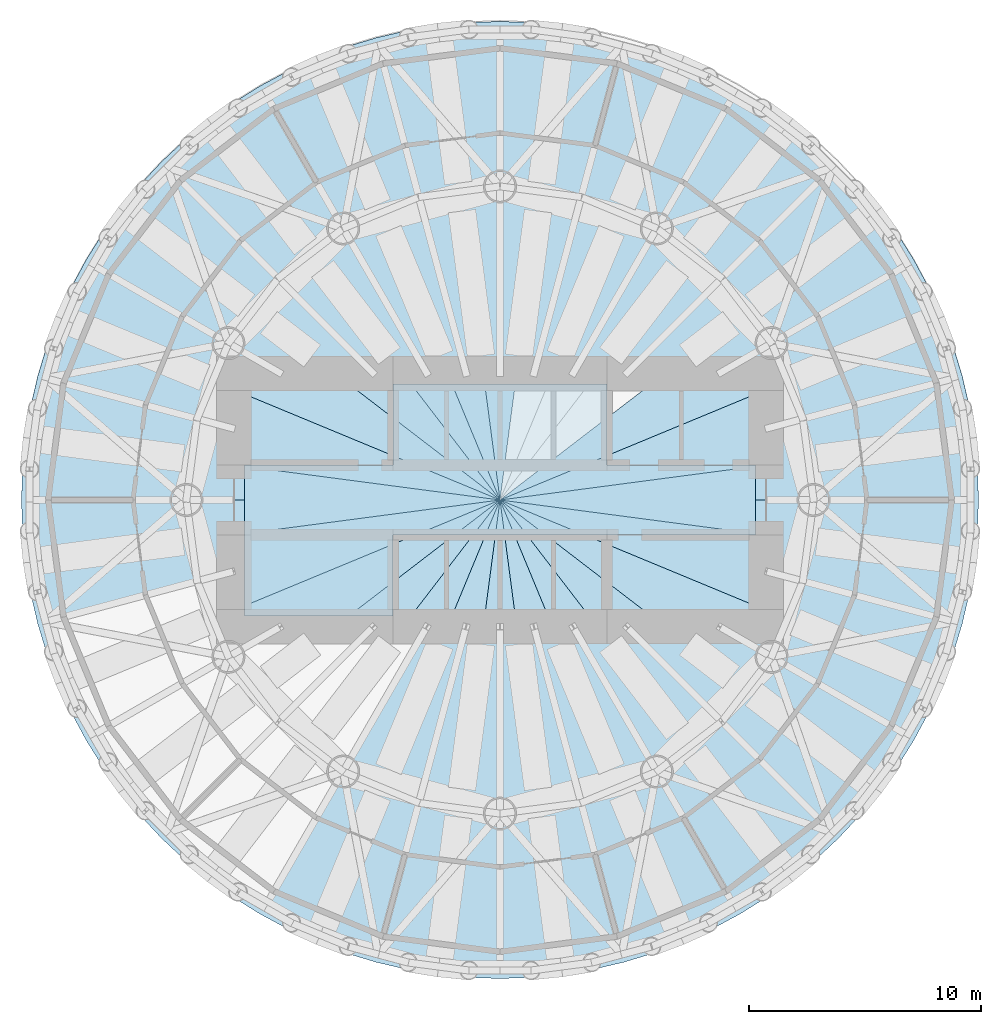
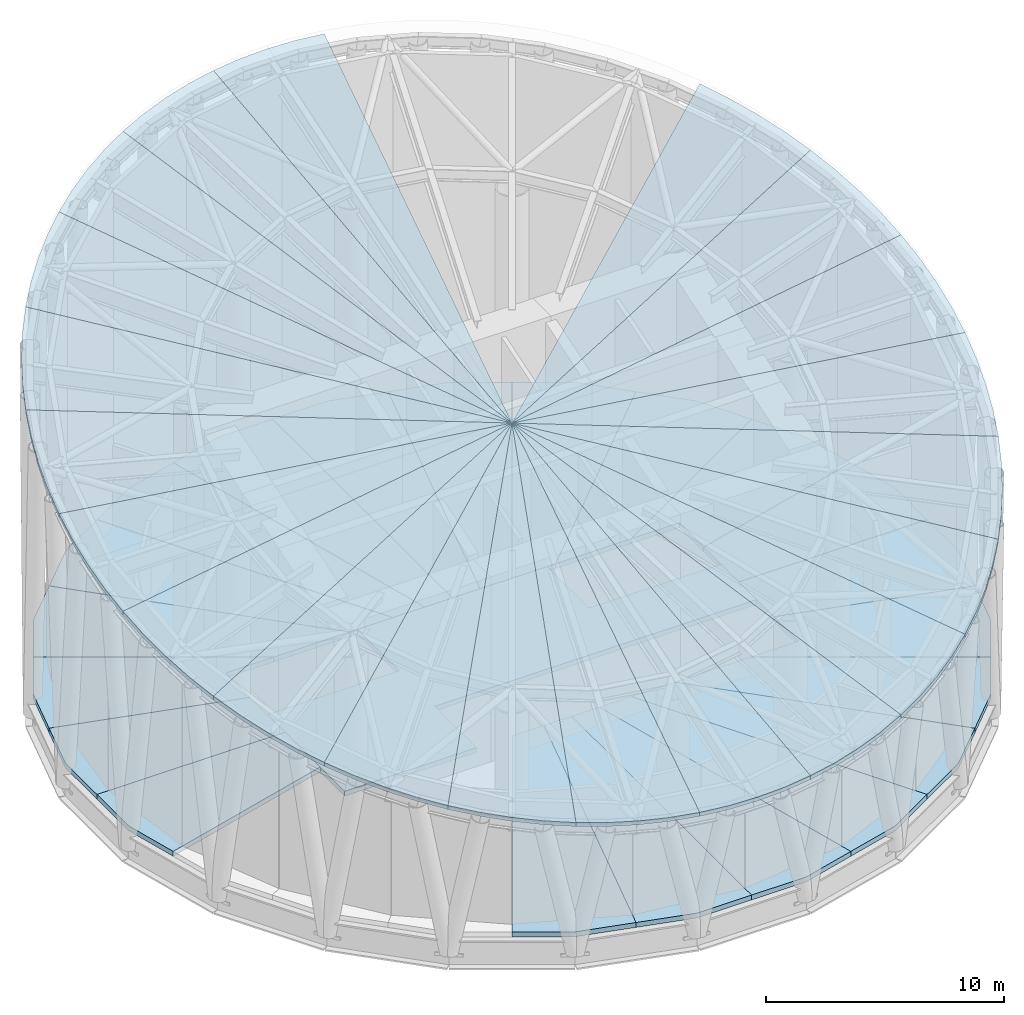
# One storey, part 6 of 9: 43 slabs.
"""IFC4 building model written with IfcOpenShell, lengths in metres."""

from ifc_helpers import new_model, si_unit, direction, frame, origin, place, context, subcontext, project, spatial, polyline, outline, extrude, faceted_brep, material, layer, layer_set, type_object, element, save


model = new_model("IFC4")

# Units and contexts
model_context = context("Model", 3, precision=1e-05, world=origin(), true_north=direction((0.0, 1.0)))
body_context = subcontext(model_context, "Body", "Model", "MODEL_VIEW")
ifc_project = project(units=[si_unit("LENGTHUNIT", "METRE"), si_unit("AREAUNIT", "SQUARE_METRE"), si_unit("VOLUMEUNIT", "CUBIC_METRE"), si_unit("PLANEANGLEUNIT", "RADIAN"), si_unit("MASSUNIT", "GRAM", prefix="KILO")], contexts=[model_context])

# Site, building, storey
site_placement = place(None, origin())
site = spatial("IfcSite", under=ifc_project, at=site_placement, CompositionType="ELEMENT")
building_placement = place(site_placement, origin())
building = spatial("IfcBuilding", under=site, at=building_placement, Name="Qaws Media Tower", CompositionType="ELEMENT")
storey_placement = place(building_placement, frame((0.0, 0.0, 286.39990234375)))
storey = spatial("IfcBuildingStorey", under=building, at=storey_placement, Name="L66", CompositionType="ELEMENT", Elevation=286.39990234375)

# Slabs
ifc_material_1 = material(Name="Concrete C35/45", Category="concrete")
ifc_layer_1 = layer(ifc_material_1, 0.199951171875)
ifc_layer_set_1 = layer_set([ifc_layer_1], Name="Crown roof slab 200")
slab_type_1 = type_object("IfcSlabType", Name="Crown roof slab 200", PredefinedType="ROOF", material=ifc_layer_set_1)
slab_1_placement = place(storey_placement, origin())
element("IfcSlab", 1, at=slab_1_placement, inside=storey, type_object=slab_type_1, Name="S6 crown roof panel on R01", PredefinedType="ROOF", context=body_context, shape_type="Brep", body=[
    faceted_brep([(60.0, 50.0, 11.995849609375), (80.423828125, 47.311279296875, 11.122314453125), (80.555908203125, 48.652587890625, 11.55810546875), (80.60009765625, 50.0, 11.995849609375), (80.555908203125, 51.347412109375, 12.433837890625), (80.423828125, 52.688720703125, 12.86962890625), (80.423828125, 52.688720703125, 12.669677734375), (80.555908203125, 51.347412109375, 12.23388671875), (80.60009765625, 50.0, 11.7958984375), (80.555908203125, 48.652587890625, 11.358154296875), (80.423828125, 47.311279296875, 10.92236328125), (60.0, 50.0, 11.7958984375)], [[[0, 1, 2, 3, 4, 5]], [[6, 7, 8, 9, 10, 11]], [[11, 10, 1, 0]], [[10, 9, 2, 1]], [[9, 8, 3, 2]], [[8, 7, 4, 3]], [[7, 6, 5, 4]], [[6, 11, 0, 5]]]),
])
slab_2_placement = place(storey_placement, origin())
element("IfcSlab", 2, at=slab_2_placement, inside=storey, type_object=slab_type_1, Name="S6 crown roof panel on R02", PredefinedType="ROOF", context=body_context, shape_type="Brep", body=[
    faceted_brep([(60.0, 50.0, 11.995849609375), (80.423828125, 52.688720703125, 12.86962890625), (80.2041015625, 54.018798828125, 13.3017578125), (79.898193359375, 55.331787109375, 13.728271484375), (79.5068359375, 56.62158203125, 14.1474609375), (79.031982421875, 57.88330078125, 14.557373046875), (79.031982421875, 57.88330078125, 14.357421875), (79.5068359375, 56.62158203125, 13.947509765625), (79.898193359375, 55.331787109375, 13.5283203125), (80.2041015625, 54.018798828125, 13.101806640625), (80.423828125, 52.688720703125, 12.669677734375), (60.0, 50.0, 11.7958984375)], [[[0, 1, 2, 3, 4, 5]], [[6, 7, 8, 9, 10, 11]], [[11, 10, 1, 0]], [[10, 9, 2, 1]], [[9, 8, 3, 2]], [[8, 7, 4, 3]], [[7, 6, 5, 4]], [[6, 11, 0, 5]]]),
])
slab_3_placement = place(storey_placement, origin())
element("IfcSlab", 3, at=slab_3_placement, inside=storey, type_object=slab_type_1, Name="S6 crown roof panel on R03", PredefinedType="ROOF", context=body_context, shape_type="Brep", body=[
    faceted_brep([(60.0, 50.0, 11.995849609375), (79.031982421875, 57.88330078125, 14.557373046875), (78.4755859375, 59.111083984375, 14.956298828125), (77.840087890625, 60.300048828125, 15.342529296875), (77.128173828125, 61.44482421875, 15.714599609375), (76.343017578125, 62.54052734375, 16.070556640625), (76.343017578125, 62.54052734375, 15.87060546875), (77.128173828125, 61.44482421875, 15.5146484375), (77.840087890625, 60.300048828125, 15.142578125), (78.4755859375, 59.111083984375, 14.75634765625), (79.031982421875, 57.88330078125, 14.357421875), (60.0, 50.0, 11.7958984375)], [[[0, 1, 2, 3, 4, 5]], [[6, 7, 8, 9, 10, 11]], [[11, 10, 1, 0]], [[10, 9, 2, 1]], [[9, 8, 3, 2]], [[8, 7, 4, 3]], [[7, 6, 5, 4]], [[6, 11, 0, 5]]]),
])
slab_4_placement = place(storey_placement, origin())
element("IfcSlab", 4, at=slab_4_placement, inside=storey, type_object=slab_type_1, Name="S6 crown roof panel on R07", PredefinedType="ROOF", context=body_context, shape_type="Brep", body=[
    faceted_brep([(60.0, 50.0, 11.995849609375), (62.688720703125, 70.423828125, 18.632080078125), (61.347412109375, 70.555908203125, 18.675048828125), (60.0, 70.60009765625, 18.689208984375), (58.652587890625, 70.555908203125, 18.675048828125), (57.311279296875, 70.423828125, 18.632080078125), (57.311279296875, 70.423828125, 18.43212890625), (58.652587890625, 70.555908203125, 18.47509765625), (60.0, 70.60009765625, 18.4892578125), (61.347412109375, 70.555908203125, 18.47509765625), (62.688720703125, 70.423828125, 18.43212890625), (60.0, 50.0, 11.7958984375)], [[[0, 1, 2, 3, 4, 5]], [[6, 7, 8, 9, 10, 11]], [[11, 10, 1, 0]], [[10, 9, 2, 1]], [[9, 8, 3, 2]], [[8, 7, 4, 3]], [[7, 6, 5, 4]], [[6, 11, 0, 5]]]),
])
slab_5_placement = place(storey_placement, origin())
element("IfcSlab", 5, at=slab_5_placement, inside=storey, type_object=slab_type_1, Name="S6 crown roof panel on R08", PredefinedType="ROOF", context=body_context, shape_type="Brep", body=[
    faceted_brep([(60.0, 50.0, 11.995849609375), (57.311279296875, 70.423828125, 18.632080078125), (55.981201171875, 70.2041015625, 18.560791015625), (54.668212890625, 69.898193359375, 18.461181640625), (53.37841796875, 69.5068359375, 18.333984375), (52.11669921875, 69.031982421875, 18.179931640625), (52.11669921875, 69.031982421875, 17.97998046875), (53.37841796875, 69.5068359375, 18.134033203125), (54.668212890625, 69.898193359375, 18.26123046875), (55.981201171875, 70.2041015625, 18.36083984375), (57.311279296875, 70.423828125, 18.43212890625), (60.0, 50.0, 11.7958984375)], [[[0, 1, 2, 3, 4, 5]], [[6, 7, 8, 9, 10, 11]], [[11, 10, 1, 0]], [[10, 9, 2, 1]], [[9, 8, 3, 2]], [[8, 7, 4, 3]], [[7, 6, 5, 4]], [[6, 11, 0, 5]]]),
])
slab_6_placement = place(storey_placement, origin())
element("IfcSlab", 6, at=slab_6_placement, inside=storey, type_object=slab_type_1, Name="S6 crown roof panel on R09", PredefinedType="ROOF", context=body_context, shape_type="Brep", body=[
    faceted_brep([(60.0, 50.0, 11.995849609375), (52.11669921875, 69.031982421875, 18.179931640625), (50.888916015625, 68.4755859375, 17.9990234375), (49.699951171875, 67.840087890625, 17.79248046875), (48.55517578125, 67.128173828125, 17.561279296875), (47.45947265625, 66.343017578125, 17.30615234375), (47.45947265625, 66.343017578125, 17.106201171875), (48.55517578125, 67.128173828125, 17.361328125), (49.699951171875, 67.840087890625, 17.592529296875), (50.888916015625, 68.4755859375, 17.799072265625), (52.11669921875, 69.031982421875, 17.97998046875), (60.0, 50.0, 11.7958984375)], [[[0, 1, 2, 3, 4, 5]], [[6, 7, 8, 9, 10, 11]], [[11, 10, 1, 0]], [[10, 9, 2, 1]], [[9, 8, 3, 2]], [[8, 7, 4, 3]], [[7, 6, 5, 4]], [[6, 11, 0, 5]]]),
])
slab_7_placement = place(storey_placement, origin())
element("IfcSlab", 7, at=slab_7_placement, inside=storey, type_object=slab_type_1, Name="S6 crown roof panel on R10", PredefinedType="ROOF", context=body_context, shape_type="Brep", body=[
    faceted_brep([(60.0, 50.0, 11.995849609375), (47.45947265625, 66.343017578125, 17.30615234375), (46.41748046875, 65.48779296875, 17.0283203125), (45.43359375, 64.56640625, 16.728759765625), (44.51220703125, 63.58251953125, 16.4091796875), (43.656982421875, 62.54052734375, 16.070556640625), (43.656982421875, 62.54052734375, 15.87060546875), (44.51220703125, 63.58251953125, 16.209228515625), (45.43359375, 64.56640625, 16.52880859375), (46.41748046875, 65.48779296875, 16.828369140625), (47.45947265625, 66.343017578125, 17.106201171875), (60.0, 50.0, 11.7958984375)], [[[0, 1, 2, 3, 4, 5]], [[6, 7, 8, 9, 10, 11]], [[11, 10, 1, 0]], [[10, 9, 2, 1]], [[9, 8, 3, 2]], [[8, 7, 4, 3]], [[7, 6, 5, 4]], [[6, 11, 0, 5]]]),
])
slab_8_placement = place(storey_placement, origin())
element("IfcSlab", 8, at=slab_8_placement, inside=storey, type_object=slab_type_1, Name="S6 crown roof panel on R11", PredefinedType="ROOF", context=body_context, shape_type="Brep", body=[
    faceted_brep([(60.0, 50.0, 11.995849609375), (43.656982421875, 62.54052734375, 16.070556640625), (42.871826171875, 61.44482421875, 15.714599609375), (42.159912109375, 60.300048828125, 15.342529296875), (41.5244140625, 59.111083984375, 14.956298828125), (40.968017578125, 57.88330078125, 14.557373046875), (40.968017578125, 57.88330078125, 14.357421875), (41.5244140625, 59.111083984375, 14.75634765625), (42.159912109375, 60.300048828125, 15.142578125), (42.871826171875, 61.44482421875, 15.5146484375), (43.656982421875, 62.54052734375, 15.87060546875), (60.0, 50.0, 11.7958984375)], [[[0, 1, 2, 3, 4, 5]], [[6, 7, 8, 9, 10, 11]], [[11, 10, 1, 0]], [[10, 9, 2, 1]], [[9, 8, 3, 2]], [[8, 7, 4, 3]], [[7, 6, 5, 4]], [[6, 11, 0, 5]]]),
])
slab_9_placement = place(storey_placement, origin())
element("IfcSlab", 9, at=slab_9_placement, inside=storey, type_object=slab_type_1, Name="S6 crown roof panel on R12", PredefinedType="ROOF", context=body_context, shape_type="Brep", body=[
    faceted_brep([(60.0, 50.0, 11.995849609375), (40.968017578125, 57.88330078125, 14.557373046875), (40.4931640625, 56.62158203125, 14.1474609375), (40.101806640625, 55.331787109375, 13.728271484375), (39.7958984375, 54.018798828125, 13.3017578125), (39.576171875, 52.688720703125, 12.86962890625), (39.576171875, 52.688720703125, 12.669677734375), (39.7958984375, 54.018798828125, 13.101806640625), (40.101806640625, 55.331787109375, 13.5283203125), (40.4931640625, 56.62158203125, 13.947509765625), (40.968017578125, 57.88330078125, 14.357421875), (60.0, 50.0, 11.7958984375)], [[[0, 1, 2, 3, 4, 5]], [[6, 7, 8, 9, 10, 11]], [[11, 10, 1, 0]], [[10, 9, 2, 1]], [[9, 8, 3, 2]], [[8, 7, 4, 3]], [[7, 6, 5, 4]], [[6, 11, 0, 5]]]),
])
slab_10_placement = place(storey_placement, origin())
element("IfcSlab", 10, at=slab_10_placement, inside=storey, type_object=slab_type_1, Name="S6 crown roof panel on R13", PredefinedType="ROOF", context=body_context, shape_type="Brep", body=[
    faceted_brep([(60.0, 50.0, 11.995849609375), (39.576171875, 52.688720703125, 12.86962890625), (39.444091796875, 51.347412109375, 12.433837890625), (39.39990234375, 50.0, 11.995849609375), (39.444091796875, 48.652587890625, 11.55810546875), (39.576171875, 47.311279296875, 11.122314453125), (39.576171875, 47.311279296875, 10.92236328125), (39.444091796875, 48.652587890625, 11.358154296875), (39.39990234375, 50.0, 11.7958984375), (39.444091796875, 51.347412109375, 12.23388671875), (39.576171875, 52.688720703125, 12.669677734375), (60.0, 50.0, 11.7958984375)], [[[0, 1, 2, 3, 4, 5]], [[6, 7, 8, 9, 10, 11]], [[11, 10, 1, 0]], [[10, 9, 2, 1]], [[9, 8, 3, 2]], [[8, 7, 4, 3]], [[7, 6, 5, 4]], [[6, 11, 0, 5]]]),
])
slab_11_placement = place(storey_placement, origin())
element("IfcSlab", 11, at=slab_11_placement, inside=storey, type_object=slab_type_1, Name="S6 crown roof panel on R14", PredefinedType="ROOF", context=body_context, shape_type="Brep", body=[
    faceted_brep([(60.0, 50.0, 11.995849609375), (39.576171875, 47.311279296875, 11.122314453125), (39.7958984375, 45.981201171875, 10.690185546875), (40.101806640625, 44.668212890625, 10.263671875), (40.4931640625, 43.37841796875, 9.844482421875), (40.968017578125, 42.11669921875, 9.4345703125), (40.968017578125, 42.11669921875, 9.234619140625), (40.4931640625, 43.37841796875, 9.64453125), (40.101806640625, 44.668212890625, 10.063720703125), (39.7958984375, 45.981201171875, 10.490234375), (39.576171875, 47.311279296875, 10.92236328125), (60.0, 50.0, 11.7958984375)], [[[0, 1, 2, 3, 4, 5]], [[6, 7, 8, 9, 10, 11]], [[11, 10, 1, 0]], [[10, 9, 2, 1]], [[9, 8, 3, 2]], [[8, 7, 4, 3]], [[7, 6, 5, 4]], [[6, 11, 0, 5]]]),
])
slab_12_placement = place(storey_placement, origin())
element("IfcSlab", 12, at=slab_12_placement, inside=storey, type_object=slab_type_1, Name="S6 crown roof panel on R15", PredefinedType="ROOF", context=body_context, shape_type="Brep", body=[
    faceted_brep([(60.0, 50.0, 11.995849609375), (40.968017578125, 42.11669921875, 9.4345703125), (41.5244140625, 40.888916015625, 9.03564453125), (42.159912109375, 39.699951171875, 8.6494140625), (42.871826171875, 38.55517578125, 8.27734375), (43.656982421875, 37.45947265625, 7.92138671875), (43.656982421875, 37.45947265625, 7.721435546875), (42.871826171875, 38.55517578125, 8.077392578125), (42.159912109375, 39.699951171875, 8.449462890625), (41.5244140625, 40.888916015625, 8.835693359375), (40.968017578125, 42.11669921875, 9.234619140625), (60.0, 50.0, 11.7958984375)], [[[0, 1, 2, 3, 4, 5]], [[6, 7, 8, 9, 10, 11]], [[11, 10, 1, 0]], [[10, 9, 2, 1]], [[9, 8, 3, 2]], [[8, 7, 4, 3]], [[7, 6, 5, 4]], [[6, 11, 0, 5]]]),
])
slab_13_placement = place(storey_placement, origin())
element("IfcSlab", 13, at=slab_13_placement, inside=storey, type_object=slab_type_1, Name="S6 crown roof panel on R16", PredefinedType="ROOF", context=body_context, shape_type="Brep", body=[
    faceted_brep([(60.0, 50.0, 11.995849609375), (43.656982421875, 37.45947265625, 7.92138671875), (44.51220703125, 36.41748046875, 7.582763671875), (45.43359375, 35.43359375, 7.262939453125), (46.41748046875, 34.51220703125, 6.963623046875), (47.45947265625, 33.656982421875, 6.685791015625), (47.45947265625, 33.656982421875, 6.48583984375), (46.41748046875, 34.51220703125, 6.763671875), (45.43359375, 35.43359375, 7.06298828125), (44.51220703125, 36.41748046875, 7.3828125), (43.656982421875, 37.45947265625, 7.721435546875), (60.0, 50.0, 11.7958984375)], [[[0, 1, 2, 3, 4, 5]], [[6, 7, 8, 9, 10, 11]], [[11, 10, 1, 0]], [[10, 9, 2, 1]], [[9, 8, 3, 2]], [[8, 7, 4, 3]], [[7, 6, 5, 4]], [[6, 11, 0, 5]]]),
])
slab_14_placement = place(storey_placement, origin())
element("IfcSlab", 14, at=slab_14_placement, inside=storey, type_object=slab_type_1, Name="S6 crown roof panel on R17", PredefinedType="ROOF", context=body_context, shape_type="Brep", body=[
    faceted_brep([(60.0, 50.0, 11.995849609375), (47.45947265625, 33.656982421875, 6.685791015625), (48.55517578125, 32.871826171875, 6.4306640625), (49.699951171875, 32.159912109375, 6.199462890625), (50.888916015625, 31.5244140625, 5.992919921875), (52.11669921875, 30.968017578125, 5.81201171875), (52.11669921875, 30.968017578125, 5.612060546875), (50.888916015625, 31.5244140625, 5.79296875), (49.699951171875, 32.159912109375, 5.99951171875), (48.55517578125, 32.871826171875, 6.230712890625), (47.45947265625, 33.656982421875, 6.48583984375), (60.0, 50.0, 11.7958984375)], [[[0, 1, 2, 3, 4, 5]], [[6, 7, 8, 9, 10, 11]], [[11, 10, 1, 0]], [[10, 9, 2, 1]], [[9, 8, 3, 2]], [[8, 7, 4, 3]], [[7, 6, 5, 4]], [[6, 11, 0, 5]]]),
])
slab_15_placement = place(storey_placement, origin())
element("IfcSlab", 15, at=slab_15_placement, inside=storey, type_object=slab_type_1, Name="S6 crown roof panel on R18", PredefinedType="ROOF", context=body_context, shape_type="Brep", body=[
    faceted_brep([(60.0, 50.0, 11.995849609375), (52.11669921875, 30.968017578125, 5.81201171875), (53.37841796875, 30.4931640625, 5.65771484375), (54.668212890625, 30.101806640625, 5.53076171875), (55.981201171875, 29.7958984375, 5.43115234375), (57.311279296875, 29.576171875, 5.35986328125), (57.311279296875, 29.576171875, 5.159912109375), (55.981201171875, 29.7958984375, 5.231201171875), (54.668212890625, 30.101806640625, 5.330810546875), (53.37841796875, 30.4931640625, 5.457763671875), (52.11669921875, 30.968017578125, 5.612060546875), (60.0, 50.0, 11.7958984375)], [[[0, 1, 2, 3, 4, 5]], [[6, 7, 8, 9, 10, 11]], [[11, 10, 1, 0]], [[10, 9, 2, 1]], [[9, 8, 3, 2]], [[8, 7, 4, 3]], [[7, 6, 5, 4]], [[6, 11, 0, 5]]]),
])
slab_16_placement = place(storey_placement, origin())
element("IfcSlab", 16, at=slab_16_placement, inside=storey, type_object=slab_type_1, Name="S6 crown roof panel on R19", PredefinedType="ROOF", context=body_context, shape_type="Brep", body=[
    faceted_brep([(60.0, 50.0, 11.995849609375), (57.311279296875, 29.576171875, 5.35986328125), (58.652587890625, 29.444091796875, 5.31689453125), (60.0, 29.39990234375, 5.302734375), (61.347412109375, 29.444091796875, 5.31689453125), (62.688720703125, 29.576171875, 5.35986328125), (62.688720703125, 29.576171875, 5.159912109375), (61.347412109375, 29.444091796875, 5.116943359375), (60.0, 29.39990234375, 5.102783203125), (58.652587890625, 29.444091796875, 5.116943359375), (57.311279296875, 29.576171875, 5.159912109375), (60.0, 50.0, 11.7958984375)], [[[0, 1, 2, 3, 4, 5]], [[6, 7, 8, 9, 10, 11]], [[11, 10, 1, 0]], [[10, 9, 2, 1]], [[9, 8, 3, 2]], [[8, 7, 4, 3]], [[7, 6, 5, 4]], [[6, 11, 0, 5]]]),
])
slab_17_placement = place(storey_placement, origin())
element("IfcSlab", 17, at=slab_17_placement, inside=storey, type_object=slab_type_1, Name="S6 crown roof panel on R20", PredefinedType="ROOF", context=body_context, shape_type="Brep", body=[
    faceted_brep([(60.0, 50.0, 11.995849609375), (62.688720703125, 29.576171875, 5.35986328125), (64.018798828125, 29.7958984375, 5.43115234375), (65.331787109375, 30.101806640625, 5.53076171875), (66.62158203125, 30.4931640625, 5.65771484375), (67.88330078125, 30.968017578125, 5.81201171875), (67.88330078125, 30.968017578125, 5.612060546875), (66.62158203125, 30.4931640625, 5.457763671875), (65.331787109375, 30.101806640625, 5.330810546875), (64.018798828125, 29.7958984375, 5.231201171875), (62.688720703125, 29.576171875, 5.159912109375), (60.0, 50.0, 11.7958984375)], [[[0, 1, 2, 3, 4, 5]], [[6, 7, 8, 9, 10, 11]], [[11, 10, 1, 0]], [[10, 9, 2, 1]], [[9, 8, 3, 2]], [[8, 7, 4, 3]], [[7, 6, 5, 4]], [[6, 11, 0, 5]]]),
])
slab_18_placement = place(storey_placement, origin())
element("IfcSlab", 18, at=slab_18_placement, inside=storey, type_object=slab_type_1, Name="S6 crown roof panel on R21", PredefinedType="ROOF", context=body_context, shape_type="Brep", body=[
    faceted_brep([(60.0, 50.0, 11.995849609375), (67.88330078125, 30.968017578125, 5.81201171875), (69.111083984375, 31.5244140625, 5.992919921875), (70.300048828125, 32.159912109375, 6.199462890625), (71.44482421875, 32.871826171875, 6.4306640625), (72.54052734375, 33.656982421875, 6.685791015625), (72.54052734375, 33.656982421875, 6.48583984375), (71.44482421875, 32.871826171875, 6.230712890625), (70.300048828125, 32.159912109375, 5.99951171875), (69.111083984375, 31.5244140625, 5.79296875), (67.88330078125, 30.968017578125, 5.612060546875), (60.0, 50.0, 11.7958984375)], [[[0, 1, 2, 3, 4, 5]], [[6, 7, 8, 9, 10, 11]], [[11, 10, 1, 0]], [[10, 9, 2, 1]], [[9, 8, 3, 2]], [[8, 7, 4, 3]], [[7, 6, 5, 4]], [[6, 11, 0, 5]]]),
])
slab_19_placement = place(storey_placement, origin())
element("IfcSlab", 19, at=slab_19_placement, inside=storey, type_object=slab_type_1, Name="S6 crown roof panel on R22", PredefinedType="ROOF", context=body_context, shape_type="Brep", body=[
    faceted_brep([(60.0, 50.0, 11.995849609375), (72.54052734375, 33.656982421875, 6.685791015625), (73.58251953125, 34.51220703125, 6.963623046875), (74.56640625, 35.43359375, 7.262939453125), (75.48779296875, 36.41748046875, 7.582763671875), (76.343017578125, 37.45947265625, 7.92138671875), (76.343017578125, 37.45947265625, 7.721435546875), (75.48779296875, 36.41748046875, 7.3828125), (74.56640625, 35.43359375, 7.06298828125), (73.58251953125, 34.51220703125, 6.763671875), (72.54052734375, 33.656982421875, 6.48583984375), (60.0, 50.0, 11.7958984375)], [[[0, 1, 2, 3, 4, 5]], [[6, 7, 8, 9, 10, 11]], [[11, 10, 1, 0]], [[10, 9, 2, 1]], [[9, 8, 3, 2]], [[8, 7, 4, 3]], [[7, 6, 5, 4]], [[6, 11, 0, 5]]]),
])
slab_20_placement = place(storey_placement, origin())
element("IfcSlab", 20, at=slab_20_placement, inside=storey, type_object=slab_type_1, Name="S6 crown roof panel on R23", PredefinedType="ROOF", context=body_context, shape_type="Brep", body=[
    faceted_brep([(60.0, 50.0, 11.995849609375), (76.343017578125, 37.45947265625, 7.92138671875), (77.128173828125, 38.55517578125, 8.27734375), (77.840087890625, 39.699951171875, 8.6494140625), (78.4755859375, 40.888916015625, 9.03564453125), (79.031982421875, 42.11669921875, 9.4345703125), (79.031982421875, 42.11669921875, 9.234619140625), (78.4755859375, 40.888916015625, 8.835693359375), (77.840087890625, 39.699951171875, 8.449462890625), (77.128173828125, 38.55517578125, 8.077392578125), (76.343017578125, 37.45947265625, 7.721435546875), (60.0, 50.0, 11.7958984375)], [[[0, 1, 2, 3, 4, 5]], [[6, 7, 8, 9, 10, 11]], [[11, 10, 1, 0]], [[10, 9, 2, 1]], [[9, 8, 3, 2]], [[8, 7, 4, 3]], [[7, 6, 5, 4]], [[6, 11, 0, 5]]]),
])
slab_21_placement = place(storey_placement, origin())
element("IfcSlab", 21, at=slab_21_placement, inside=storey, type_object=slab_type_1, Name="S6 crown roof panel on R24", PredefinedType="ROOF", context=body_context, shape_type="Brep", body=[
    faceted_brep([(60.0, 50.0, 11.995849609375), (79.031982421875, 42.11669921875, 9.4345703125), (79.5068359375, 43.37841796875, 9.844482421875), (79.898193359375, 44.668212890625, 10.263671875), (80.2041015625, 45.981201171875, 10.690185546875), (80.423828125, 47.311279296875, 11.122314453125), (80.423828125, 47.311279296875, 10.92236328125), (80.2041015625, 45.981201171875, 10.490234375), (79.898193359375, 44.668212890625, 10.063720703125), (79.5068359375, 43.37841796875, 9.64453125), (79.031982421875, 42.11669921875, 9.234619140625), (60.0, 50.0, 11.7958984375)], [[[0, 1, 2, 3, 4, 5]], [[6, 7, 8, 9, 10, 11]], [[11, 10, 1, 0]], [[10, 9, 2, 1]], [[9, 8, 3, 2]], [[8, 7, 4, 3]], [[7, 6, 5, 4]], [[6, 11, 0, 5]]]),
])
ifc_material_2 = material(Name="Concrete C40/50", Category="concrete")
ifc_layer_2 = layer(ifc_material_2, 0.25)
ifc_layer_set_2 = layer_set([ifc_layer_2], Name="Plant floor slab 250")
slab_type_2 = type_object("IfcSlabType", Name="Plant floor slab 250", PredefinedType="FLOOR", material=ifc_layer_set_2)
slab_22_placement = place(storey_placement, frame((0.0, 0.0, -0.25)))
element("IfcSlab", 22, at=slab_22_placement, inside=storey, type_object=slab_type_2, Name="S7 core floor slab L66", PredefinedType="FLOOR", context=body_context, shape_type="SweptSolid", body=[
    extrude(outline(polyline([(71.0, 51.5), (71.0, 48.5), (55.39990234375, 48.5), (55.39990234375, 45.0), (49.0, 45.0), (49.0, 51.5), (55.39990234375, 51.5), (55.39990234375, 55.0), (64.60009765625, 55.0), (64.60009765625, 51.5), (71.0, 51.5)])), origin(), (0.0, 0.0, 1.0), 0.25),
])
slab_23_placement = place(storey_placement, frame((0.0, 0.0, -0.25)))
element("IfcSlab", 23, at=slab_23_placement, inside=storey, type_object=slab_type_2, Name="S7 floor panel L66 on R01+7.5", PredefinedType="FLOOR", context=body_context, shape_type="SweptSolid", body=[
    extrude(outline(polyline([(80.126220703125, 52.649658203125), (80.126220703125, 50.0), (71.0, 50.0), (71.0, 52.947509765625), (79.4404296875, 55.208984375), (80.126220703125, 52.649658203125)])), origin(), (0.0, 0.0, 1.0), 0.25),
])
slab_24_placement = place(storey_placement, frame((0.0, 0.0, -0.25)))
element("IfcSlab", 24, at=slab_24_placement, inside=storey, type_object=slab_type_2, Name="S7 floor panel L66 on R02+7.5", PredefinedType="FLOOR", context=body_context, shape_type="SweptSolid", body=[
    extrude(outline(polyline([(78.7548828125, 57.7685546875), (79.4404296875, 55.208984375), (71.0, 52.947509765625), (71.0, 55.0), (68.660400390625, 55.0), (77.429931640625, 60.063232421875), (78.7548828125, 57.7685546875)])), origin(), (0.0, 0.0, 1.0), 0.25),
])
slab_25_placement = place(storey_placement, frame((0.0, 0.0, -0.25)))
element("IfcSlab", 25, at=slab_25_placement, inside=storey, type_object=slab_type_2, Name="S7 floor panel L66 on R03+7.5", PredefinedType="FLOOR", context=body_context, shape_type="SweptSolid", body=[
    extrude(outline(polyline([(76.10498046875, 62.35791015625), (77.429931640625, 60.063232421875), (68.660400390625, 55.0), (65.0, 55.0), (74.2314453125, 64.2314453125), (76.10498046875, 62.35791015625)])), origin(), (0.0, 0.0, 1.0), 0.25),
])
slab_26_placement = place(storey_placement, frame((0.0, 0.0, -0.25)))
element("IfcSlab", 26, at=slab_26_placement, inside=storey, type_object=slab_type_2, Name="S7 floor panel L66 on R04+7.5", PredefinedType="FLOOR", context=body_context, shape_type="SweptSolid", body=[
    extrude(outline(polyline([(72.35791015625, 66.10498046875), (74.2314453125, 64.2314453125), (65.0, 55.0), (62.88671875, 55.0), (70.063232421875, 67.429931640625), (72.35791015625, 66.10498046875)])), origin(), (0.0, 0.0, 1.0), 0.25),
])
slab_27_placement = place(storey_placement, frame((0.0, 0.0, -0.25)))
element("IfcSlab", 27, at=slab_27_placement, inside=storey, type_object=slab_type_2, Name="S7 floor panel L66 on R05+7.5", PredefinedType="FLOOR", context=body_context, shape_type="SweptSolid", body=[
    extrude(outline(polyline([(67.7685546875, 68.7548828125), (70.063232421875, 67.429931640625), (62.88671875, 55.0), (61.339599609375, 55.0), (65.208984375, 69.4404296875), (67.7685546875, 68.7548828125)])), origin(), (0.0, 0.0, 1.0), 0.25),
])
slab_28_placement = place(storey_placement, frame((0.0, 0.0, -0.25)))
element("IfcSlab", 28, at=slab_28_placement, inside=storey, type_object=slab_type_2, Name="S7 floor panel L66 on R06+7.5", PredefinedType="FLOOR", context=body_context, shape_type="SweptSolid", body=[
    extrude(outline(polyline([(62.649658203125, 70.126220703125), (65.208984375, 69.4404296875), (61.339599609375, 55.0), (60.0, 55.0), (60.0, 70.126220703125), (62.649658203125, 70.126220703125)])), origin(), (0.0, 0.0, 1.0), 0.25),
])
slab_29_placement = place(storey_placement, frame((0.0, 0.0, -0.25)))
element("IfcSlab", 29, at=slab_29_placement, inside=storey, type_object=slab_type_2, Name="S7 floor panel L66 on R07+7.5", PredefinedType="FLOOR", context=body_context, shape_type="SweptSolid", body=[
    extrude(outline(polyline([(57.350341796875, 70.126220703125), (60.0, 70.126220703125), (60.0, 55.0), (58.660400390625, 55.0), (54.791015625, 69.4404296875), (57.350341796875, 70.126220703125)])), origin(), (0.0, 0.0, 1.0), 0.25),
])
slab_30_placement = place(storey_placement, frame((0.0, 0.0, -0.25)))
element("IfcSlab", 30, at=slab_30_placement, inside=storey, type_object=slab_type_2, Name="S7 floor panel L66 on R08+7.5", PredefinedType="FLOOR", context=body_context, shape_type="SweptSolid", body=[
    extrude(outline(polyline([(52.2314453125, 68.7548828125), (54.791015625, 69.4404296875), (58.660400390625, 55.0), (57.11328125, 55.0), (49.936767578125, 67.429931640625), (52.2314453125, 68.7548828125)])), origin(), (0.0, 0.0, 1.0), 0.25),
])
slab_31_placement = place(storey_placement, frame((0.0, 0.0, -0.25)))
element("IfcSlab", 31, at=slab_31_placement, inside=storey, type_object=slab_type_2, Name="S7 floor panel L66 on R09+7.5", PredefinedType="FLOOR", context=body_context, shape_type="SweptSolid", body=[
    extrude(outline(polyline([(47.64208984375, 66.10498046875), (49.936767578125, 67.429931640625), (57.11328125, 55.0), (55.0, 55.0), (45.7685546875, 64.2314453125), (47.64208984375, 66.10498046875)])), origin(), (0.0, 0.0, 1.0), 0.25),
])
slab_32_placement = place(storey_placement, frame((0.0, 0.0, -0.25)))
element("IfcSlab", 32, at=slab_32_placement, inside=storey, type_object=slab_type_2, Name="S7 floor panel L66 on R10+7.5", PredefinedType="FLOOR", context=body_context, shape_type="SweptSolid", body=[
    extrude(outline(polyline([(43.89501953125, 62.35791015625), (45.7685546875, 64.2314453125), (55.0, 55.0), (51.339599609375, 55.0), (42.570068359375, 60.063232421875), (43.89501953125, 62.35791015625)])), origin(), (0.0, 0.0, 1.0), 0.25),
])
slab_33_placement = place(storey_placement, frame((0.0, 0.0, -0.25)))
element("IfcSlab", 33, at=slab_33_placement, inside=storey, type_object=slab_type_2, Name="S7 floor panel L66 on R11+7.5", PredefinedType="FLOOR", context=body_context, shape_type="SweptSolid", body=[
    extrude(outline(polyline([(41.2451171875, 57.7685546875), (42.570068359375, 60.063232421875), (51.339599609375, 55.0), (49.0, 55.0), (49.0, 52.947509765625), (40.5595703125, 55.208984375), (41.2451171875, 57.7685546875)])), origin(), (0.0, 0.0, 1.0), 0.25),
])
slab_34_placement = place(storey_placement, frame((0.0, 0.0, -0.25)))
element("IfcSlab", 34, at=slab_34_placement, inside=storey, type_object=slab_type_2, Name="S7 floor panel L66 on R12+7.5", PredefinedType="FLOOR", context=body_context, shape_type="SweptSolid", body=[
    extrude(outline(polyline([(39.873779296875, 52.649658203125), (40.5595703125, 55.208984375), (49.0, 52.947509765625), (49.0, 50.0), (39.873779296875, 50.0), (39.873779296875, 52.649658203125)])), origin(), (0.0, 0.0, 1.0), 0.25),
])
slab_35_placement = place(storey_placement, frame((0.0, 0.0, -0.25)))
element("IfcSlab", 35, at=slab_35_placement, inside=storey, type_object=slab_type_2, Name="S7 floor panel L66 on R13+7.5", PredefinedType="FLOOR", context=body_context, shape_type="SweptSolid", body=[
    extrude(outline(polyline([(39.873779296875, 47.350341796875), (39.873779296875, 50.0), (49.0, 50.0), (49.0, 47.052490234375), (40.5595703125, 44.791015625), (39.873779296875, 47.350341796875)])), origin(), (0.0, 0.0, 1.0), 0.25),
])
slab_36_placement = place(storey_placement, frame((0.0, 0.0, -0.25)))
element("IfcSlab", 36, at=slab_36_placement, inside=storey, type_object=slab_type_2, Name="S7 floor panel L66 on R17+7.5", PredefinedType="FLOOR", context=body_context, shape_type="SweptSolid", body=[
    extrude(outline(polyline([(52.2314453125, 31.2451171875), (49.936767578125, 32.570068359375), (57.11328125, 45.0), (58.660400390625, 45.0), (54.791015625, 30.5595703125), (52.2314453125, 31.2451171875)])), origin(), (0.0, 0.0, 1.0), 0.25),
])
slab_37_placement = place(storey_placement, frame((0.0, 0.0, -0.25)))
element("IfcSlab", 37, at=slab_37_placement, inside=storey, type_object=slab_type_2, Name="S7 floor panel L66 on R18+7.5", PredefinedType="FLOOR", context=body_context, shape_type="SweptSolid", body=[
    extrude(outline(polyline([(57.350341796875, 29.873779296875), (54.791015625, 30.5595703125), (58.660400390625, 45.0), (60.0, 45.0), (60.0, 29.873779296875), (57.350341796875, 29.873779296875)])), origin(), (0.0, 0.0, 1.0), 0.25),
])
slab_38_placement = place(storey_placement, frame((0.0, 0.0, -0.25)))
element("IfcSlab", 38, at=slab_38_placement, inside=storey, type_object=slab_type_2, Name="S7 floor panel L66 on R19+7.5", PredefinedType="FLOOR", context=body_context, shape_type="SweptSolid", body=[
    extrude(outline(polyline([(62.649658203125, 29.873779296875), (60.0, 29.873779296875), (60.0, 45.0), (61.339599609375, 45.0), (65.208984375, 30.5595703125), (62.649658203125, 29.873779296875)])), origin(), (0.0, 0.0, 1.0), 0.25),
])
slab_39_placement = place(storey_placement, frame((0.0, 0.0, -0.25)))
element("IfcSlab", 39, at=slab_39_placement, inside=storey, type_object=slab_type_2, Name="S7 floor panel L66 on R20+7.5", PredefinedType="FLOOR", context=body_context, shape_type="SweptSolid", body=[
    extrude(outline(polyline([(67.7685546875, 31.2451171875), (65.208984375, 30.5595703125), (61.339599609375, 45.0), (62.88671875, 45.0), (70.063232421875, 32.570068359375), (67.7685546875, 31.2451171875)])), origin(), (0.0, 0.0, 1.0), 0.25),
])
slab_40_placement = place(storey_placement, frame((0.0, 0.0, -0.25)))
element("IfcSlab", 40, at=slab_40_placement, inside=storey, type_object=slab_type_2, Name="S7 floor panel L66 on R21+7.5", PredefinedType="FLOOR", context=body_context, shape_type="SweptSolid", body=[
    extrude(outline(polyline([(72.35791015625, 33.89501953125), (70.063232421875, 32.570068359375), (62.88671875, 45.0), (65.0, 45.0), (74.2314453125, 35.7685546875), (72.35791015625, 33.89501953125)])), origin(), (0.0, 0.0, 1.0), 0.25),
])
slab_41_placement = place(storey_placement, frame((0.0, 0.0, -0.25)))
element("IfcSlab", 41, at=slab_41_placement, inside=storey, type_object=slab_type_2, Name="S7 floor panel L66 on R22+7.5", PredefinedType="FLOOR", context=body_context, shape_type="SweptSolid", body=[
    extrude(outline(polyline([(76.10498046875, 37.64208984375), (74.2314453125, 35.7685546875), (65.0, 45.0), (68.660400390625, 45.0), (77.429931640625, 39.936767578125), (76.10498046875, 37.64208984375)])), origin(), (0.0, 0.0, 1.0), 0.25),
])
slab_42_placement = place(storey_placement, frame((0.0, 0.0, -0.25)))
element("IfcSlab", 42, at=slab_42_placement, inside=storey, type_object=slab_type_2, Name="S7 floor panel L66 on R23+7.5", PredefinedType="FLOOR", context=body_context, shape_type="SweptSolid", body=[
    extrude(outline(polyline([(78.7548828125, 42.2314453125), (77.429931640625, 39.936767578125), (68.660400390625, 45.0), (71.0, 45.0), (71.0, 47.052490234375), (79.4404296875, 44.791015625), (78.7548828125, 42.2314453125)])), origin(), (0.0, 0.0, 1.0), 0.25),
])
slab_43_placement = place(storey_placement, frame((0.0, 0.0, -0.25)))
element("IfcSlab", 43, at=slab_43_placement, inside=storey, type_object=slab_type_2, Name="S7 floor panel L66 on R24+7.5", PredefinedType="FLOOR", context=body_context, shape_type="SweptSolid", body=[
    extrude(outline(polyline([(79.4404296875, 44.791015625), (71.0, 47.052490234375), (71.0, 50.0), (80.126220703125, 50.0), (80.126220703125, 47.350341796875), (79.4404296875, 44.791015625)])), origin(), (0.0, 0.0, 1.0), 0.25),
])

save(model, "model.ifc")
